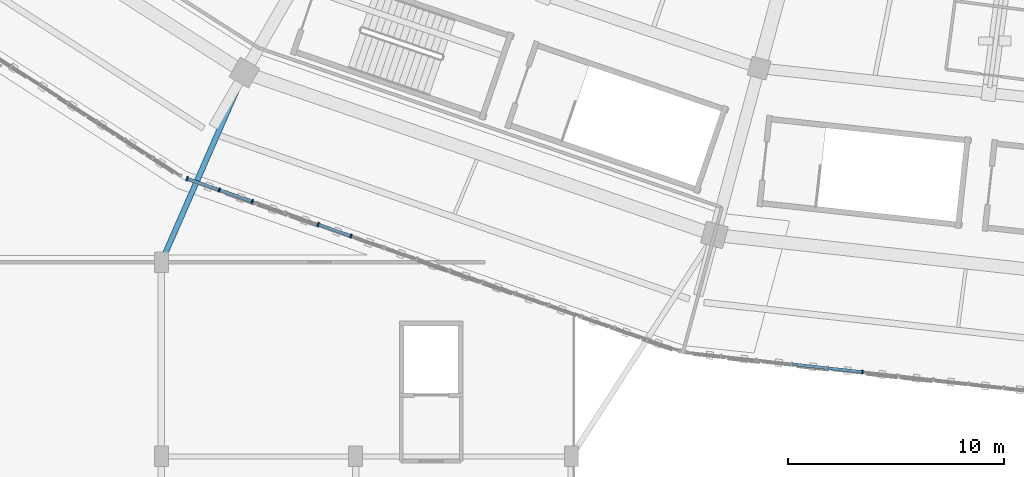
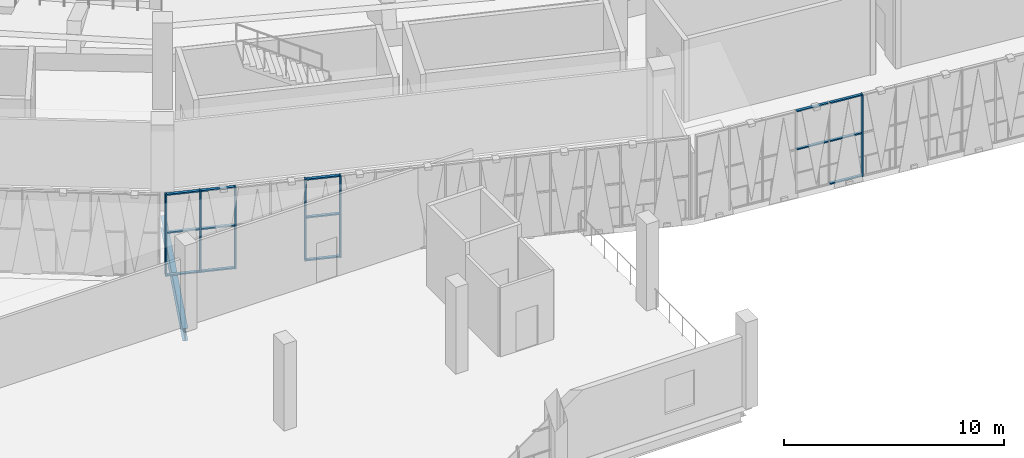
# One storey, part 13 of 152: 20 members, 1 beam, 2 elements without a shape of their own.
"""IFC4 building model written with IfcOpenShell, lengths in metres."""

from ifc_helpers import new_model, si_unit, direction, frame, origin, origin_2d, place, context, subcontext, project, spatial, rectangle, i_section, extrude, material, material_profile, profile_set, type_object, element, aggregate, save


model = new_model("IFC4")

# Units and contexts
model_context = context("Model", 3, precision=1e-05, world=origin(), true_north=direction((0.0, 1.0)))
body_context = subcontext(model_context, "Body", "Model", "MODEL_VIEW")
ifc_project = project(units=[si_unit("LENGTHUNIT", "METRE"), si_unit("AREAUNIT", "SQUARE_METRE"), si_unit("VOLUMEUNIT", "CUBIC_METRE"), si_unit("PLANEANGLEUNIT", "RADIAN"), si_unit("MASSUNIT", "GRAM", prefix="KILO")], contexts=[model_context])

# Site, building, storey
site_placement = place(None, origin())
site = spatial("IfcSite", under=ifc_project, at=site_placement, CompositionType="ELEMENT")
building_placement = place(site_placement, origin())
building = spatial("IfcBuilding", under=site, at=building_placement, Name="Zevraka Park Crest Stadium", CompositionType="ELEMENT")
storey_placement = place(building_placement, frame((0.0, 0.0, 15.0)))
storey = spatial("IfcBuildingStorey", under=building, at=storey_placement, Name="L03", CompositionType="ELEMENT", Elevation=15.0)

# Beam
ifc_material_1 = material(Name="Steel S355", Category="steel")
ifc_material_profile_1 = material_profile(ifc_material_1, i_section(OverallWidth=0.253662109375, OverallDepth=0.68359375, WebThickness=0.012451171875, FlangeThickness=0.01904296875, at=origin_2d()), Name="UKB 686x254x140")
ifc_profile_set_1 = profile_set([ifc_material_profile_1], Name="Steel S355")
beam_type = type_object("IfcBeamType", Name="BG05", PredefinedType="BEAM", material=ifc_profile_set_1)
beam_placement = place(storey_placement, frame((63.080078125, 18.18310546875, -0.649658203125), z_axis=(0.401335913167, 0.915930938883, 0.0), x_axis=(-0.915930938883, 0.401335913167, 0.0)))
element("IfcBeam", 1, at=beam_placement, inside=storey, type_object=beam_type, Name="Wing Link Girder BG05 L03-8/C", PredefinedType="BEAM", context=body_context, shape_type="SweptSolid", body=[
    extrude(i_section(OverallWidth=0.253662109375, OverallDepth=0.68359375, WebThickness=0.012451171875, FlangeThickness=0.01904296875, at=origin_2d()), origin(), (0.0, 0.0, 1.0), 9.0146484375),
])

# Curtain wall, member
ifc_material_2 = material(Name="Anodised architectural aluminium and laminated safety glass", Category="aluminium")
curtain_wall_type_1 = type_object("IfcCurtainWallType", Name="CW11", PredefinedType="NOTDEFINED", material=ifc_material_2)
curtain_wall_1_placement = place(storey_placement, origin())
curtain_wall_1 = element("IfcCurtainWall", 2, at=curtain_wall_1_placement, inside=storey, type_object=curtain_wall_type_1, Name="Unitised Ring Curtain Wall CW11 L03-17", PredefinedType="NOTDEFINED")
ifc_material_3 = material(Name="Anodised architectural aluminium", Category="aluminium")
ifc_material_profile_2 = material_profile(ifc_material_3, rectangle(XDim=0.179931640625, YDim=0.06494140625, at=origin_2d()), Name="ALU MULLION 180x65")
ifc_profile_set_2 = profile_set([ifc_material_profile_2], Name="Anodised architectural aluminium")
member_type_1 = type_object("IfcMemberType", Name="CM02", PredefinedType="MULLION", material=ifc_profile_set_2)
member_1_placement = place(storey_placement, frame((95.49072265625, 12.914306640625, 0.0), z_axis=(0.0, 0.0, 1.0), x_axis=(0.110396006373, 0.993887680665, 0.0)))
member_1 = element("IfcMember", 3, at=member_1_placement, type_object=member_type_1, Name="CW11 mullion 6", PredefinedType="MULLION", context=body_context, shape_type="SweptSolid", body=[
    extrude(rectangle(XDim=0.179931640625, YDim=0.06494140625, at=origin_2d()), origin(), (0.0, 0.0, 1.0), 4.5400390625),
])

# Curtain wall, members
ifc_material_4 = material(Name="Anodised architectural aluminium and laminated safety glass", Category="aluminium")
curtain_wall_type_2 = type_object("IfcCurtainWallType", Name="CW12", PredefinedType="NOTDEFINED", material=ifc_material_4)
curtain_wall_2_placement = place(storey_placement, origin())
curtain_wall_2 = element("IfcCurtainWall", 4, at=curtain_wall_2_placement, inside=storey, type_object=curtain_wall_type_2, Name="Unitised Ring Curtain Wall CW12 L03-16", PredefinedType="NOTDEFINED")
ifc_material_5 = material(Name="Anodised architectural aluminium", Category="aluminium")
ifc_material_profile_3 = material_profile(ifc_material_5, rectangle(XDim=0.199951171875, YDim=0.070068359375, at=origin_2d()), Name="ALU MULLION 200x70")
ifc_profile_set_3 = profile_set([ifc_material_profile_3], Name="Anodised architectural aluminium")
member_type_2 = type_object("IfcMemberType", Name="CM03", PredefinedType="MULLION", material=ifc_profile_set_3)
member_2_placement = place(storey_placement, frame((64.192138671875, 21.869384765625, 0.0), z_axis=(0.0, 0.0, 1.0), x_axis=(0.329916814701, 0.944010008092, 0.0)))
member_2 = element("IfcMember", 5, at=member_2_placement, type_object=member_type_2, Name="CW12 mullion 1", PredefinedType="MULLION", context=body_context, shape_type="SweptSolid", body=[
    extrude(rectangle(XDim=0.199951171875, YDim=0.070068359375, at=origin_2d()), origin(), (0.0, 0.0, 1.0), 4.5400390625),
])
member_3_placement = place(storey_placement, frame((65.684814453125, 21.34765625, 0.0), z_axis=(0.0, 0.0, 1.0), x_axis=(0.329916814701, 0.944010008092, 0.0)))
member_3 = element("IfcMember", 6, at=member_3_placement, type_object=member_type_2, Name="CW12 mullion 2", PredefinedType="MULLION", context=body_context, shape_type="SweptSolid", body=[
    extrude(rectangle(XDim=0.199951171875, YDim=0.070068359375, at=origin_2d()), origin(), (0.0, 0.0, 1.0), 4.5400390625),
])
member_4_placement = place(storey_placement, frame((67.210693359375, 20.814453125, 0.0), z_axis=(0.0, 0.0, 1.0), x_axis=(0.329916814701, 0.944010008092, 0.0)))
member_4 = element("IfcMember", 7, at=member_4_placement, type_object=member_type_2, Name="CW12 mullion 3", PredefinedType="MULLION", context=body_context, shape_type="SweptSolid", body=[
    extrude(rectangle(XDim=0.199951171875, YDim=0.070068359375, at=origin_2d()), origin(), (0.0, 0.0, 1.0), 4.5400390625),
])
member_5_placement = place(storey_placement, frame((70.262451171875, 19.748046875, 0.0), z_axis=(0.0, 0.0, 1.0), x_axis=(0.329916814701, 0.944010008092, 0.0)))
member_5 = element("IfcMember", 8, at=member_5_placement, type_object=member_type_2, Name="CW12 mullion 5", PredefinedType="MULLION", context=body_context, shape_type="SweptSolid", body=[
    extrude(rectangle(XDim=0.199951171875, YDim=0.070068359375, at=origin_2d()), origin(), (0.0, 0.0, 1.0), 4.5400390625),
])
member_6_placement = place(storey_placement, frame((71.788330078125, 19.214599609375, 0.0), z_axis=(0.0, 0.0, 1.0), x_axis=(0.329916814701, 0.944010008092, 0.0)))
member_6 = element("IfcMember", 9, at=member_6_placement, type_object=member_type_2, Name="CW12 mullion 6", PredefinedType="MULLION", context=body_context, shape_type="SweptSolid", body=[
    extrude(rectangle(XDim=0.199951171875, YDim=0.070068359375, at=origin_2d()), origin(), (0.0, 0.0, 1.0), 4.5400390625),
])

# Member
ifc_material_6 = material(Name="Anodised architectural aluminium", Category="aluminium")
ifc_material_profile_4 = material_profile(ifc_material_6, rectangle(XDim=0.139892578125, YDim=0.06494140625, at=origin_2d()), Name="ALU TRANSOM 140x65")
ifc_profile_set_4 = profile_set([ifc_material_profile_4], Name="Anodised architectural aluminium")
member_type_3 = type_object("IfcMemberType", Name="CT02", PredefinedType="USERDEFINED", material=ifc_profile_set_4)
member_7_placement = place(storey_placement, frame((92.2470703125, 13.274658203125, 2.39990234375), z_axis=(0.993883734674, -0.110431526075, 0.0), x_axis=(0.110431526075, 0.993883734674, 0.0)))
member_7 = element("IfcMember", 10, at=member_7_placement, type_object=member_type_3, Name="CW11 transom 4.2", ObjectType="TRANSOM", PredefinedType="USERDEFINED", context=body_context, shape_type="SweptSolid", body=[
    extrude(rectangle(XDim=0.139892578125, YDim=0.06494140625, at=origin_2d()), origin(), (0.0, 0.0, 1.0), 1.5830078125),
])

member_8_placement = place(storey_placement, frame((92.2470703125, 13.274658203125, 4.507568359375), z_axis=(0.993883734674, -0.110431526075, 0.0), x_axis=(0.110431526075, 0.993883734674, 0.0)))
member_8 = element("IfcMember", 11, at=member_8_placement, type_object=member_type_3, Name="CW11 transom 4.3", ObjectType="TRANSOM", PredefinedType="USERDEFINED", context=body_context, shape_type="SweptSolid", body=[
    extrude(rectangle(XDim=0.139892578125, YDim=0.06494140625, at=origin_2d()), origin(), (0.0, 0.0, 1.0), 1.5830078125),
])

member_9_placement = place(storey_placement, frame((93.885009765625, 13.0927734375, 0.032470703125), z_axis=(0.993883734674, -0.110431526075, 0.0), x_axis=(0.110431526075, 0.993883734674, 0.0)))
member_9 = element("IfcMember", 12, at=member_9_placement, type_object=member_type_3, Name="CW11 transom 5.1", ObjectType="TRANSOM", PredefinedType="USERDEFINED", context=body_context, shape_type="SweptSolid", body=[
    extrude(rectangle(XDim=0.139892578125, YDim=0.06494140625, at=origin_2d()), origin(), (0.0, 0.0, 1.0), 1.5830078125),
])

member_10_placement = place(storey_placement, frame((93.885009765625, 13.0927734375, 2.39990234375), z_axis=(0.993883734674, -0.110431526075, 0.0), x_axis=(0.110431526075, 0.993883734674, 0.0)))
member_10 = element("IfcMember", 13, at=member_10_placement, type_object=member_type_3, Name="CW11 transom 5.2", ObjectType="TRANSOM", PredefinedType="USERDEFINED", context=body_context, shape_type="SweptSolid", body=[
    extrude(rectangle(XDim=0.139892578125, YDim=0.06494140625, at=origin_2d()), origin(), (0.0, 0.0, 1.0), 1.5830078125),
])

member_11_placement = place(storey_placement, frame((93.885009765625, 13.0927734375, 4.507568359375), z_axis=(0.993883734674, -0.110431526075, 0.0), x_axis=(0.110431526075, 0.993883734674, 0.0)))
member_11 = element("IfcMember", 14, at=member_11_placement, type_object=member_type_3, Name="CW11 transom 5.3", ObjectType="TRANSOM", PredefinedType="USERDEFINED", context=body_context, shape_type="SweptSolid", body=[
    extrude(rectangle(XDim=0.139892578125, YDim=0.06494140625, at=origin_2d()), origin(), (0.0, 0.0, 1.0), 1.5830078125),
])

aggregate(curtain_wall_1, [member_1, member_7, member_8, member_9, member_10, member_11])

ifc_material_7 = material(Name="Anodised architectural aluminium", Category="aluminium")
ifc_material_profile_5 = material_profile(ifc_material_7, rectangle(XDim=0.14990234375, YDim=0.070068359375, at=origin_2d()), Name="ALU TRANSOM 150x70")
ifc_profile_set_5 = profile_set([ifc_material_profile_5], Name="Anodised architectural aluminium")
member_type_4 = type_object("IfcMemberType", Name="CT03", PredefinedType="USERDEFINED", material=ifc_profile_set_5)
member_12_placement = place(storey_placement, frame((64.22509765625, 21.85791015625, 0.034912109375), z_axis=(0.944029481665, -0.329861088563, 0.0), x_axis=(0.329861088563, 0.944029481665, 0.0)))
member_12 = element("IfcMember", 15, at=member_12_placement, type_object=member_type_4, Name="CW12 transom 1.1", ObjectType="TRANSOM", PredefinedType="USERDEFINED", context=body_context, shape_type="SweptSolid", body=[
    extrude(rectangle(XDim=0.14990234375, YDim=0.070068359375, at=origin_2d()), origin(), (0.0, 0.0, 1.0), 1.51123046875),
])

member_13_placement = place(storey_placement, frame((64.22509765625, 21.85791015625, 2.39990234375), z_axis=(0.944029481665, -0.329861088563, 0.0), x_axis=(0.329861088563, 0.944029481665, 0.0)))
member_13 = element("IfcMember", 16, at=member_13_placement, type_object=member_type_4, Name="CW12 transom 1.2", ObjectType="TRANSOM", PredefinedType="USERDEFINED", context=body_context, shape_type="SweptSolid", body=[
    extrude(rectangle(XDim=0.14990234375, YDim=0.070068359375, at=origin_2d()), origin(), (0.0, 0.0, 1.0), 1.51123046875),
])

member_14_placement = place(storey_placement, frame((64.22509765625, 21.85791015625, 4.5048828125), z_axis=(0.944029481665, -0.329861088563, 0.0), x_axis=(0.329861088563, 0.944029481665, 0.0)))
member_14 = element("IfcMember", 17, at=member_14_placement, type_object=member_type_4, Name="CW12 transom 1.3", ObjectType="TRANSOM", PredefinedType="USERDEFINED", context=body_context, shape_type="SweptSolid", body=[
    extrude(rectangle(XDim=0.14990234375, YDim=0.070068359375, at=origin_2d()), origin(), (0.0, 0.0, 1.0), 1.51123046875),
])

member_15_placement = place(storey_placement, frame((65.718017578125, 21.336181640625, 0.034912109375), z_axis=(0.943988739301, -0.329977666021, 0.0), x_axis=(0.329977666021, 0.943988739301, 0.0)))
member_15 = element("IfcMember", 18, at=member_15_placement, type_object=member_type_4, Name="CW12 transom 2.1", ObjectType="TRANSOM", PredefinedType="USERDEFINED", context=body_context, shape_type="SweptSolid", body=[
    extrude(rectangle(XDim=0.14990234375, YDim=0.070068359375, at=origin_2d()), origin(), (0.0, 0.0, 1.0), 1.54638671875),
])

member_16_placement = place(storey_placement, frame((65.718017578125, 21.336181640625, 2.39990234375), z_axis=(0.943988739301, -0.329977666021, 0.0), x_axis=(0.329977666021, 0.943988739301, 0.0)))
member_16 = element("IfcMember", 19, at=member_16_placement, type_object=member_type_4, Name="CW12 transom 2.2", ObjectType="TRANSOM", PredefinedType="USERDEFINED", context=body_context, shape_type="SweptSolid", body=[
    extrude(rectangle(XDim=0.14990234375, YDim=0.070068359375, at=origin_2d()), origin(), (0.0, 0.0, 1.0), 1.54638671875),
])

member_17_placement = place(storey_placement, frame((65.718017578125, 21.336181640625, 4.5048828125), z_axis=(0.943988739301, -0.329977666021, 0.0), x_axis=(0.329977666021, 0.943988739301, 0.0)))
member_17 = element("IfcMember", 20, at=member_17_placement, type_object=member_type_4, Name="CW12 transom 2.3", ObjectType="TRANSOM", PredefinedType="USERDEFINED", context=body_context, shape_type="SweptSolid", body=[
    extrude(rectangle(XDim=0.14990234375, YDim=0.070068359375, at=origin_2d()), origin(), (0.0, 0.0, 1.0), 1.54638671875),
])

member_18_placement = place(storey_placement, frame((70.29541015625, 19.736328125, 0.034912109375), z_axis=(0.944055085145, -0.329787804827, 0.0), x_axis=(0.329787804827, 0.944055085145, 0.0)))
member_18 = element("IfcMember", 21, at=member_18_placement, type_object=member_type_4, Name="CW12 transom 5.1", ObjectType="TRANSOM", PredefinedType="USERDEFINED", context=body_context, shape_type="SweptSolid", body=[
    extrude(rectangle(XDim=0.14990234375, YDim=0.070068359375, at=origin_2d()), origin(), (0.0, 0.0, 1.0), 1.54638671875),
])

member_19_placement = place(storey_placement, frame((70.29541015625, 19.736328125, 2.39990234375), z_axis=(0.944055085145, -0.329787804827, 0.0), x_axis=(0.329787804827, 0.944055085145, 0.0)))
member_19 = element("IfcMember", 22, at=member_19_placement, type_object=member_type_4, Name="CW12 transom 5.2", ObjectType="TRANSOM", PredefinedType="USERDEFINED", context=body_context, shape_type="SweptSolid", body=[
    extrude(rectangle(XDim=0.14990234375, YDim=0.070068359375, at=origin_2d()), origin(), (0.0, 0.0, 1.0), 1.54638671875),
])

member_20_placement = place(storey_placement, frame((70.29541015625, 19.736328125, 4.5048828125), z_axis=(0.944055085145, -0.329787804827, 0.0), x_axis=(0.329787804827, 0.944055085145, 0.0)))
member_20 = element("IfcMember", 23, at=member_20_placement, type_object=member_type_4, Name="CW12 transom 5.3", ObjectType="TRANSOM", PredefinedType="USERDEFINED", context=body_context, shape_type="SweptSolid", body=[
    extrude(rectangle(XDim=0.14990234375, YDim=0.070068359375, at=origin_2d()), origin(), (0.0, 0.0, 1.0), 1.54638671875),
])

aggregate(curtain_wall_2, [member_2, member_3, member_4, member_5, member_6, member_12, member_13, member_14, member_15, member_16, member_17, member_18, member_19, member_20])

save(model, "model.ifc")
